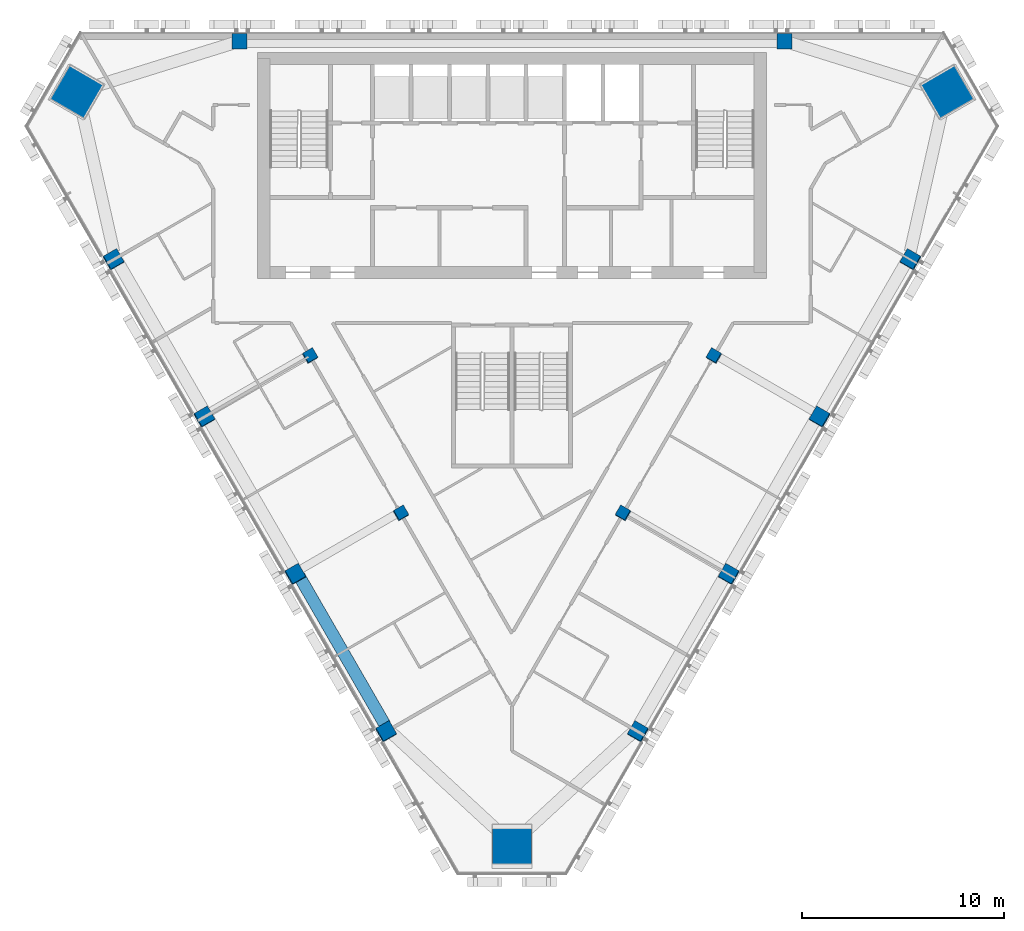
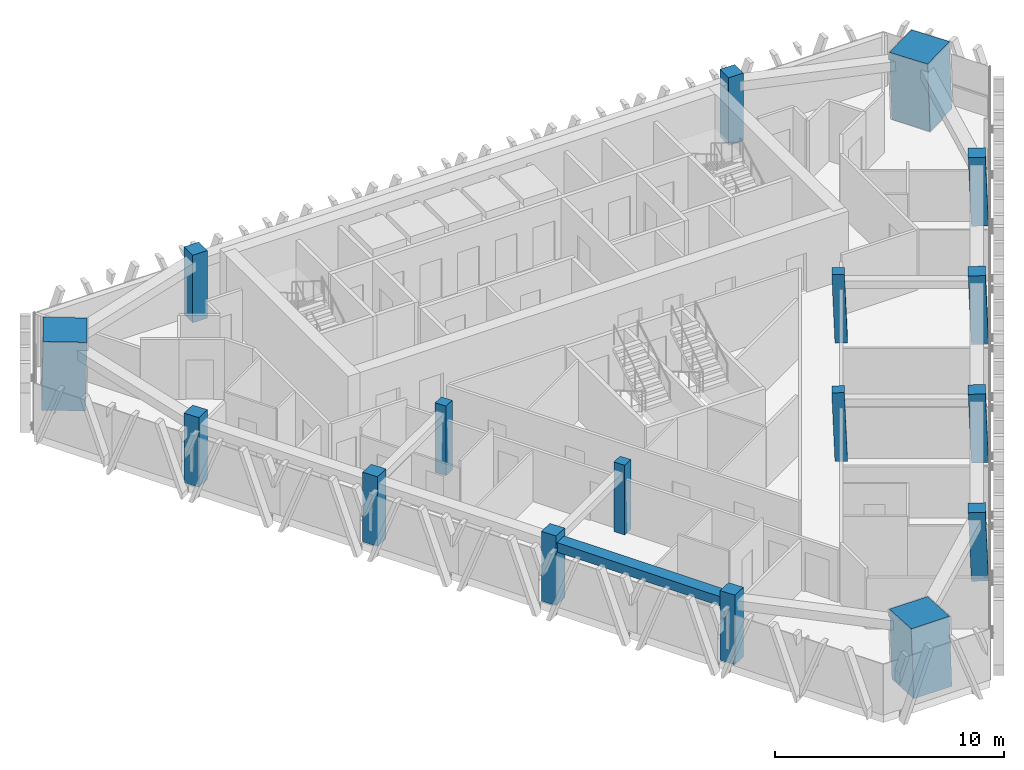
# One storey, part 1 of 14: 17 columns, 1 beam.
"""IFC4 building model written with IfcOpenShell, lengths in metres."""

from ifc_helpers import new_model, si_unit, direction, frame, origin, origin_2d, place, context, subcontext, project, spatial, rectangle, extrude, material, material_profile, profile_set, type_object, element, save


model = new_model("IFC4")

# Units and contexts
model_context = context("Model", 3, precision=1e-05, world=origin(), true_north=direction((0.0, 1.0)))
body_context = subcontext(model_context, "Body", "Model", "MODEL_VIEW")
ifc_project = project(units=[si_unit("LENGTHUNIT", "METRE"), si_unit("AREAUNIT", "SQUARE_METRE"), si_unit("VOLUMEUNIT", "CUBIC_METRE"), si_unit("PLANEANGLEUNIT", "RADIAN"), si_unit("MASSUNIT", "GRAM", prefix="KILO")], contexts=[model_context])

# Site, building, storey
site_placement = place(None, origin())
site = spatial("IfcSite", under=ifc_project, at=site_placement, CompositionType="ELEMENT")
building_placement = place(site_placement, origin())
building = spatial("IfcBuilding", under=site, at=building_placement, Name="Altiplano Prism Tower", CompositionType="ELEMENT")
storey_placement = place(building_placement, frame((0.0, 0.0, 242.800048828125)))
storey = spatial("IfcBuildingStorey", under=building, at=storey_placement, Name="L62", CompositionType="ELEMENT", Elevation=242.800048828125)

# Columns
ifc_material_1 = material(Name="Concrete C60/75", Category="concrete")
ifc_material_profile_1 = material_profile(ifc_material_1, rectangle(XDim=0.550048828125, YDim=0.550048828125, at=origin_2d()), Name="Inner column 550")
ifc_profile_set_1 = profile_set([ifc_material_profile_1], Name="Concrete C60/75")
column_type_1 = type_object("IfcColumnType", Name="Inner column 550", PredefinedType="COLUMN", material=ifc_profile_set_1)
for number, where, z_axis, x_axis, name in (
    (1, (74.9873046875, 88.95166015625, -0.016845703125), (0.02215369191, 0.038413282303, 0.999016333038), (-0.865364696788, -0.499669062583, 0.038402727135), "Inner column I12 L62"),
    (2, (79.4873046875, 81.1572265625, -0.016845703125), (0.022153634206, 0.038480930364, 0.999013730882), (-0.864982441191, -0.500326600935, 0.038453463149), "Inner column I13 L62"),
    (3, (90.5126953125, 81.1572265625, -0.016845703125), (-0.022153634206, 0.038480930364, 0.999013730882), (-0.501312869297, -0.864981219678, 0.022201276585), "Inner column I22 L62"),
    (4, (95.0126953125, 88.95166015625, -0.016845703125), (-0.02215369191, 0.038413282303, 0.999016333038), (-0.500657396395, -0.86536153355, 0.022171776814), "Inner column I23 L62"),
):
    element("IfcColumn", number, at=place(storey_placement, frame(where, z_axis=z_axis, x_axis=x_axis)), inside=storey, type_object=column_type_1, Name=name, PredefinedType="COLUMN", context=body_context, shape_type="SweptSolid", body=[
        extrude(rectangle(XDim=0.550048828125, YDim=0.550048828125, at=origin_2d()), origin(), (0.0, 0.0, 1.0), 3.603759765625),
    ])
ifc_material_2 = material(Name="Concrete C70/85", Category="concrete")
ifc_material_profile_2 = material_profile(ifc_material_2, rectangle(XDim=1.919921875, YDim=1.919921875, at=origin_2d()), Name="Mega column infill 2000")
ifc_profile_set_2 = profile_set([ifc_material_profile_2], Name="Concrete C70/85")
column_type_2 = type_object("IfcColumnType", Name="Mega column infill 2000", PredefinedType="COLUMN", material=ifc_profile_set_2)
column_1_placement = place(storey_placement, frame((63.382080078125, 102.017822265625, 0.0), z_axis=(0.028403739082, 0.009219352065, 0.999554016126), x_axis=(-0.865127382623, 0.501154819451, 0.019961432206)))
element("IfcColumn", 5, at=column_1_placement, inside=storey, type_object=column_type_2, Name="Mega column M0 L62", PredefinedType="COLUMN", context=body_context, shape_type="SweptSolid", body=[
    extrude(rectangle(XDim=1.919921875, YDim=1.919921875, at=origin_2d()), origin(), (0.0, 0.0, 1.0), 3.6015625),
])
column_2_placement = place(storey_placement, frame((85.0, 64.57470703125, 0.0), z_axis=(0.0, 0.058360852261, 0.998295552892), x_axis=(-1.0, 0.0, 0.0)))
element("IfcColumn", 6, at=column_2_placement, inside=storey, type_object=column_type_2, Name="Mega column M1 L62", PredefinedType="COLUMN", context=body_context, shape_type="SweptSolid", body=[
    extrude(rectangle(XDim=1.919921875, YDim=1.919921875, at=origin_2d()), origin(), (0.0, 0.0, 1.0), 3.60595703125),
])
column_3_placement = place(storey_placement, frame((106.617919921875, 102.017822265625, 0.0), z_axis=(-0.028403739082, 0.009219352065, 0.999554016126), x_axis=(0.500744789622, -0.865309972293, 0.022210527167)))
element("IfcColumn", 7, at=column_3_placement, inside=storey, type_object=column_type_2, Name="Mega column M2 L62", PredefinedType="COLUMN", context=body_context, shape_type="SweptSolid", body=[
    extrude(rectangle(XDim=1.919921875, YDim=1.919921875, at=origin_2d()), origin(), (0.0, 0.0, 1.0), 3.6015625),
])
ifc_material_profile_3 = material_profile(ifc_material_1, rectangle(XDim=0.75, YDim=0.75, at=origin_2d()), Name="Perimeter column 750")
ifc_profile_set_3 = profile_set([ifc_material_profile_3], Name="Concrete C60/75")
column_type_3 = type_object("IfcColumnType", Name="Perimeter column 750", PredefinedType="COLUMN", material=ifc_profile_set_3)
for number, where, z_axis, x_axis, name in (
    (8, (98.5, 104.550048828125, 0.0), (0.0, 0.0, 1.0), (1.0, 0.0, 0.0), "Perimeter column P01 L62"),
    (9, (71.5, 104.550048828125, 0.0), (0.0, 0.0, 1.0), (1.0, 0.0, 0.0), "Perimeter column P04 L62"),
):
    element("IfcColumn", number, at=place(storey_placement, frame(where, z_axis=z_axis, x_axis=x_axis)), inside=storey, type_object=column_type_3, Name=name, PredefinedType="COLUMN", context=body_context, shape_type="SweptSolid", body=[
        extrude(rectangle(XDim=0.75, YDim=0.75, at=origin_2d()), origin(), (0.0, 0.0, 1.0), 3.599853515625),
    ])
for number, where, z_axis, x_axis, name in (
    (10, (65.24755859375, 93.720458984375, -0.022705078125), (0.022222852987, 0.038483477124, 0.999012095419), (-0.865642058299, -0.49918203825, 0.038485316572), "Perimeter column P11 L62"),
    (11, (69.74755859375, 85.92626953125, -0.022705078125), (0.022222852987, 0.038483477124, 0.999012095419), (-0.865642058299, -0.49918203825, 0.038485316572), "Perimeter column P12 L62"),
    (12, (74.24755859375, 78.132080078125, -0.022705078125), (0.022222910879, 0.038415824599, 0.999014697916), (-0.866024024967, -0.498522986901, 0.038434616057), "Perimeter column P13 L62"),
    (13, (78.74755859375, 70.337890625, -0.022705078125), (0.022222910879, 0.038415824599, 0.999014697916), (-0.866024024967, -0.498522986901, 0.038434616057), "Perimeter column P14 L62"),
    (14, (91.25244140625, 70.337890625, -0.022705078125), (-0.022222910879, 0.038415824599, 0.999014697916), (-0.499508288632, -0.866024858738, 0.022190395133), "Perimeter column P21 L62"),
    (15, (95.75244140625, 78.132080078125, -0.022705078125), (-0.022222910879, 0.038415824599, 0.999014697916), (-0.499508288632, -0.866024858738, 0.022190395133), "Perimeter column P22 L62"),
    (16, (100.25244140625, 85.92626953125, -0.022705078125), (-0.022222852987, 0.038483477124, 0.999012095419), (-0.500174596178, -0.865639456654, 0.022219460416), "Perimeter column P23 L62"),
    (17, (104.75244140625, 93.720458984375, -0.022705078125), (-0.022222852987, 0.038483477124, 0.999012095419), (-0.500174626395, -0.865639439229, 0.022219459073), "Perimeter column P24 L62"),
):
    element("IfcColumn", number, at=place(storey_placement, frame(where, z_axis=z_axis, x_axis=x_axis)), inside=storey, type_object=column_type_3, Name=name, PredefinedType="COLUMN", context=body_context, shape_type="SweptSolid", body=[
        extrude(rectangle(XDim=0.75, YDim=0.75, at=origin_2d()), origin(), (0.0, 0.0, 1.0), 3.603515625),
    ])

# Beam
ifc_material_profile_4 = material_profile(ifc_material_1, rectangle(XDim=0.60009765625, YDim=0.5, at=origin_2d()), Name="Edge beam 600x500")
ifc_profile_set_4 = profile_set([ifc_material_profile_4], Name="Concrete C60/75")
beam_type = type_object("IfcBeamType", Name="Edge beam 600x500", PredefinedType="SPANDREL", material=ifc_profile_set_4)
beam_placement = place(storey_placement, frame((74.45556640625, 78.05078125, 2.949951171875), z_axis=(0.499998747907, -0.86602612668, 0.0), x_axis=(0.86602612668, 0.499998747907, 0.0)))
element("IfcBeam", 18, at=beam_placement, inside=storey, type_object=beam_type, Name="Edge beam P13-P14 L63", PredefinedType="SPANDREL", context=body_context, shape_type="SweptSolid", body=[
    extrude(rectangle(XDim=0.60009765625, YDim=0.5, at=origin_2d()), origin(), (0.0, 0.0, 1.0), 8.490234375),
])

save(model, "model.ifc")
